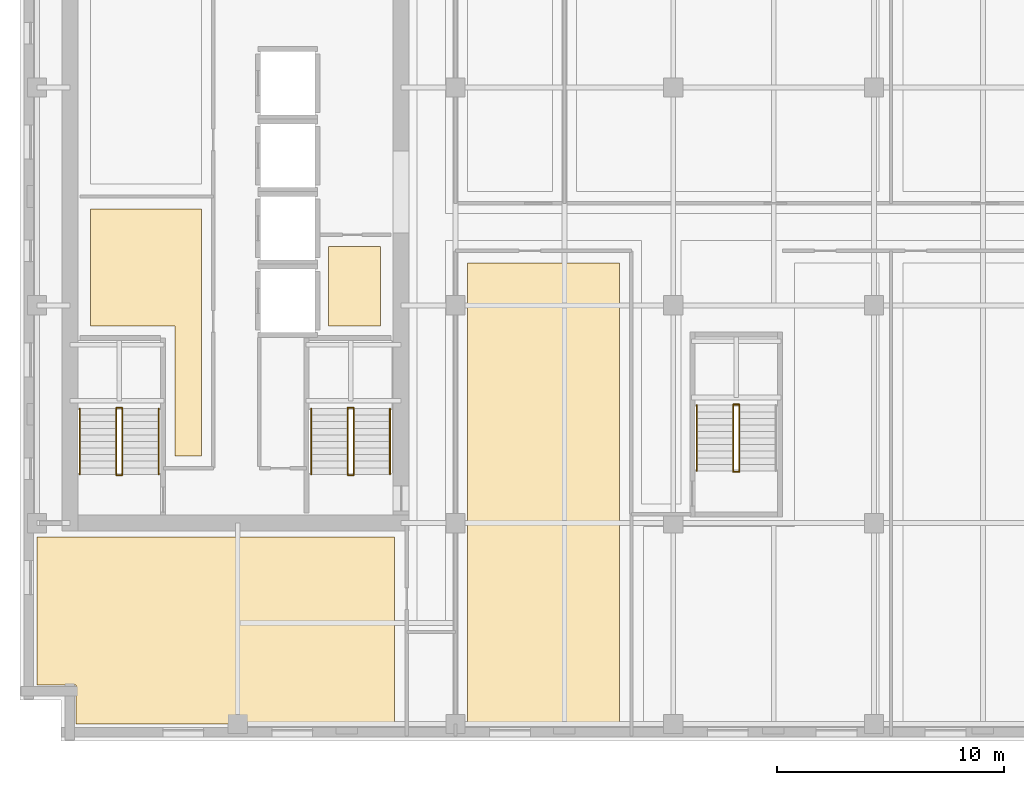
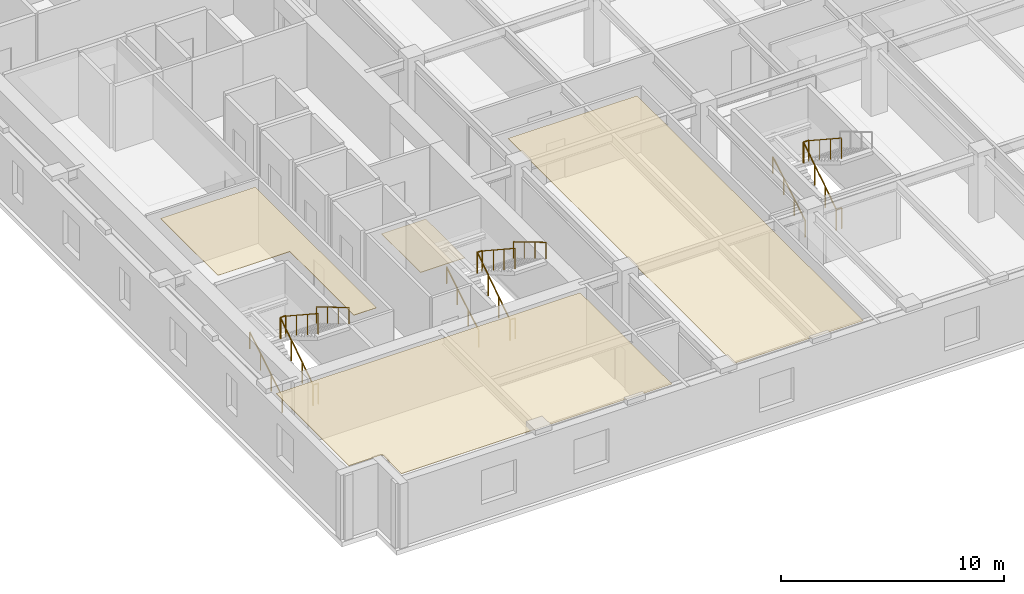
# One storey, part 8 of 12: 17 railings, 4 coverings.
"""IFC4 building model written with IfcOpenShell, lengths in metres."""

import ifcopenshell
import ifcopenshell.guid

model = None  # the IFC model being written
_history = None  # IfcOwnerHistory: only IFC2X3 demands one
_inside = {}  # id of a spatial element -> (the spatial element, [elements in it])
_under = {}  # id of a project, library or spatial element -> (it, [spatial elements below it])
_declared = {}  # id of a project -> (the project, [libraries it declares])
_typed = {}  # id of a type object -> (the type object, [elements of that type])
_made_of = {}  # id of a material, layer set ... -> (it, [elements and type objects made of it])


def new_model(schema):
    """Start an empty IFC model of exactly this schema.

    Asked for "IFC4X3", IfcOpenShell would pick the latest addendum, in which some entities
    have other attributes; the version numbers below select the first issue.
    IFC2X3 requires an IfcOwnerHistory on every rooted entity: one is made here for all.
    """
    global model, _history
    if schema == "IFC4X3":
        model = ifcopenshell.file(schema_version=(4, 3, 0, 0))
    else:
        model = ifcopenshell.file(schema=schema)
    _inside.clear()
    _under.clear()
    _declared.clear()
    _typed.clear()
    _made_of.clear()
    _history = None
    if model.schema == "IFC2X3":
        org = make("IfcOrganization", Name="unknown")
        user = make(
            "IfcPersonAndOrganization",
            ThePerson=make("IfcPerson", FamilyName="unknown"),
            TheOrganization=org,
        )
        app = make(
            "IfcApplication",
            ApplicationDeveloper=org,
            Version="unknown",
            ApplicationFullName="unknown",
            ApplicationIdentifier="unknown",
        )
        _history = make(
            "IfcOwnerHistory",
            OwningUser=user,
            OwningApplication=app,
            ChangeAction="ADDED",
            CreationDate=0,
        )
    return model


def make(cls, **values):
    """One entity of the class cls with the attributes given. An attribute that is None is left unset."""
    return model.create_entity(
        cls, **{name: value for name, value in values.items() if value is not None}
    )


def rooted(cls, **values):
    """An entity with a GlobalId (a new one), such as an element, a storey or a relation."""
    return make(cls, GlobalId=ifcopenshell.guid.new(), OwnerHistory=_history, **values)


def si_unit(unit_type, name, prefix=None):
    """IfcSIUnit, for example si_unit("LENGTHUNIT", "METRE", prefix="MILLI")."""
    return make("IfcSIUnit", UnitType=unit_type, Prefix=prefix, Name=name)


def assignment(units):
    """IfcUnitAssignment: the units of a project."""
    return None if units is None else make("IfcUnitAssignment", Units=units)


def point(xyz):
    """IfcCartesianPoint."""
    return None if xyz is None else make("IfcCartesianPoint", Coordinates=xyz)


def direction(xyz):
    """IfcDirection."""
    return None if xyz is None else make("IfcDirection", DirectionRatios=xyz)


def frame(location, z_axis=None, x_axis=None):
    """IfcAxis2Placement3D, a coordinate frame: its origin and axes. An axis left out is left unset."""
    return make(
        "IfcAxis2Placement3D",
        Location=point(location),
        Axis=direction(z_axis),
        RefDirection=direction(x_axis),
    )


def frame_2d(location, x_axis=None):
    """IfcAxis2Placement2D, a coordinate frame in the plane: its origin and x axis."""
    return make(
        "IfcAxis2Placement2D", Location=point(location), RefDirection=direction(x_axis)
    )


def origin():
    """The frame at (0, 0, 0) with its axes left unset."""
    return frame((0.0, 0.0, 0.0))


def origin_2d():
    """The frame at (0, 0) in the plane with its x axis left unset."""
    return frame_2d((0.0, 0.0))


def place(relative_to, where):
    """IfcLocalPlacement: puts the frame where relative to a parent placement (None: the world)."""
    return make(
        "IfcLocalPlacement", PlacementRelTo=relative_to, RelativePlacement=where
    )


def context(
    kind, dimensions, precision=None, world=None, true_north=None, identifier=None
):
    """IfcGeometricRepresentationContext, for example the 3D "Model" context."""
    return make(
        "IfcGeometricRepresentationContext",
        ContextIdentifier=identifier,
        ContextType=kind,
        CoordinateSpaceDimension=dimensions,
        Precision=precision,
        WorldCoordinateSystem=world,
        TrueNorth=true_north,
    )


def subcontext(parent, identifier, kind, view, scale=None):
    """IfcGeometricRepresentationSubContext, for example "Body" below "Model"."""
    return make(
        "IfcGeometricRepresentationSubContext",
        ContextIdentifier=identifier,
        ContextType=kind,
        ParentContext=parent,
        TargetScale=scale,
        TargetView=view,
    )


def project(units=None, contexts=None):
    """IfcProject with its units and contexts."""
    return rooted(
        "IfcProject",
        Name="project",
        RepresentationContexts=contexts,
        UnitsInContext=assignment(units),
    )


def spatial(cls, under=None, at=None, **own):
    """A site, building, storey or space (cls), placed at a placement, below another one or the project."""
    s = rooted(cls, ObjectPlacement=at, **own)
    if under is not None:
        _under.setdefault(under.id(), (under, []))[1].append(s)
    return s


def polyline(points):
    """IfcPolyline through the points."""
    return make("IfcPolyline", Points=[point(p) for p in points])


def profile(cls, at=None, kind="AREA", **sizes):
    """A parametric profile (cls). Its sizes go by their IFC names, for example OverallWidth=200.0."""
    return make(cls, ProfileType=kind, Position=at, **sizes)


def circle(**sizes):
    """IfcCircleProfileDef."""
    return profile("IfcCircleProfileDef", **sizes)


def outline(outer, holes=None, kind="AREA"):
    """IfcArbitraryClosedProfileDef: a profile drawn as a closed curve; with holes, ...WithVoids."""
    if holes is None:
        return make("IfcArbitraryClosedProfileDef", ProfileType=kind, OuterCurve=outer)
    return make(
        "IfcArbitraryProfileDefWithVoids",
        ProfileType=kind,
        OuterCurve=outer,
        InnerCurves=holes,
    )


def extrude(swept, where, along, depth):
    """IfcExtrudedAreaSolid: the profile swept, set in the frame where, extruded along a direction by depth."""
    return make(
        "IfcExtrudedAreaSolid",
        SweptArea=swept,
        Position=where,
        ExtrudedDirection=direction(along),
        Depth=depth,
    )


def shape(context_of_items, identifier, shape_type, items):
    """IfcShapeRepresentation: the items that make up one representation, for example the "Body"."""
    return make(
        "IfcShapeRepresentation",
        ContextOfItems=context_of_items,
        RepresentationIdentifier=identifier,
        RepresentationType=shape_type,
        Items=items,
    )


def material(Name=None, Category=None):
    """IfcMaterial."""
    return make("IfcMaterial", Name=Name, Category=Category)


def layer(
    of_material, thickness, ventilated=None, Name=None, Category=None, Priority=None
):
    """IfcMaterialLayer: one layer of a wall or slab, of a material (None: an air gap)."""
    return make(
        "IfcMaterialLayer",
        Material=of_material,
        LayerThickness=thickness,
        IsVentilated=ventilated,
        Name=Name,
        Category=Category,
        Priority=Priority,
    )


def layer_set(layers, Name=None):
    """IfcMaterialLayerSet."""
    return make("IfcMaterialLayerSet", MaterialLayers=layers, LayerSetName=Name)


def made_of(thing, what):
    """Note that an element or type object is made of a material, layer set ...; save() writes the relation."""
    if what is not None:
        _made_of.setdefault(what.id(), (what, []))[1].append(thing)
    return thing


def type_object(cls, material=None, **own):
    """A type object (cls), such as IfcWallType, which elements share."""
    return made_of(rooted(cls, **own), material)


def element(
    cls,
    number,
    at=None,
    inside=None,
    cuts=None,
    type_object=None,
    material=None,
    context=None,
    identifier="Body",
    shape_type=None,
    held_by="IfcProductDefinitionShape",
    body=None,
    shapes=None,
    **own,
):
    """One element of the class cls, such as IfcWall. Its Tag is "e" and its number.

    at: its placement. inside: the storey or other place that contains it. cuts: it is an
    opening in that element (IfcRelVoidsElement). A single representation is given by context,
    identifier, shape_type and body (its items); several are given by shapes. held_by: the class
    of the entity that holds the representations. save() writes the other relations.
    """
    e = rooted(cls, Tag="e%d" % number, ObjectPlacement=at, **own)
    if body is not None:
        shapes = [shape(context, identifier, shape_type, body)]
    if shapes is not None:
        e.Representation = make(held_by, Representations=shapes)
    if inside is not None:
        _inside.setdefault(inside.id(), (inside, []))[1].append(e)
    if cuts is not None:
        rooted(
            "IfcRelVoidsElement", RelatingBuildingElement=cuts, RelatedOpeningElement=e
        )
    if type_object is not None:
        _typed.setdefault(type_object.id(), (type_object, []))[1].append(e)
    return made_of(e, material)


def aggregate(whole, parts):
    """IfcRelAggregates: a whole, such as a stair, and the parts it consists of."""
    return rooted("IfcRelAggregates", RelatingObject=whole, RelatedObjects=parts)


def save(model, path):
    """Write the relations noted so far, then the file.

    IfcRelAggregates (storeys below a building ...), IfcRelContainedInSpatialStructure (elements
    in a storey), IfcRelDefinesByType, IfcRelAssociatesMaterial and IfcRelDeclares: one each for
    every whole, place, type object, material and project.
    """
    for whole, parts in _under.values():
        aggregate(whole, parts)
    for where, things in _inside.values():
        rooted(
            "IfcRelContainedInSpatialStructure",
            RelatedElements=things,
            RelatingStructure=where,
        )
    for kind, things in _typed.values():
        rooted("IfcRelDefinesByType", RelatedObjects=things, RelatingType=kind)
    for what, things in _made_of.values():
        rooted("IfcRelAssociatesMaterial", RelatedObjects=things, RelatingMaterial=what)
    for by, libraries in _declared.values():
        rooted("IfcRelDeclares", RelatingContext=by, RelatedDefinitions=libraries)
    model.write(path)


model = new_model("IFC4")

# Units and contexts
model_context = context("Model", 3, precision=1e-05, world=origin(), true_north=direction((0.0, 1.0)))
body_context = subcontext(model_context, "Body", "Model", "MODEL_VIEW")
ifc_project = project(units=[si_unit("LENGTHUNIT", "METRE"), si_unit("AREAUNIT", "SQUARE_METRE"), si_unit("VOLUMEUNIT", "CUBIC_METRE"), si_unit("PLANEANGLEUNIT", "RADIAN"), si_unit("MASSUNIT", "GRAM", prefix="KILO")], contexts=[model_context])

# Site, building, storey
site_placement = place(None, origin())
site = spatial("IfcSite", under=ifc_project, at=site_placement, CompositionType="ELEMENT")
building_placement = place(site_placement, origin())
building = spatial("IfcBuilding", under=site, at=building_placement, Name="Norrvale University Quadrangle", CompositionType="ELEMENT")
storey_placement = place(building_placement, frame((0.0, 0.0, 199.0)))
storey = spatial("IfcBuildingStorey", under=building, at=storey_placement, Name="L50", CompositionType="ELEMENT", Elevation=199.0)

# Coverings
ifc_material_1 = material(Name="Perforated Acoustic Mineral Ceiling")
ifc_layer_1 = layer(ifc_material_1, 0.02490234375, Name="Perforated Acoustic Mineral Ceiling")
ifc_layer_set_1 = layer_set([ifc_layer_1], Name="Perforated Acoustic Mineral Ceiling")
covering_type_1 = type_object("IfcCoveringType", Name="Covering Acoustic Ceiling 25", PredefinedType="CEILING", material=ifc_layer_set_1)
covering_1_placement = place(storey_placement, frame((0.0, 0.0, 3.514892578125)))
element("IfcCovering", 1, at=covering_1_placement, inside=storey, type_object=covering_type_1, Name="Acoustic Ceiling RM-L50-REC1", PredefinedType="CEILING", context=body_context, shape_type="SweptSolid", body=[
    extrude(outline(polyline([(3.10009765625, 18.300048828125), (3.10009765625, 23.449951171875), (8.0, 23.449951171875), (8.0, 12.550048828125), (6.830078125, 12.550048828125), (6.830078125, 18.300048828125), (3.10009765625, 18.300048828125)])), origin(), (0.0, 0.0, 1.0), 0.025146484375),
])
covering_2_placement = place(storey_placement, frame((0.0, 0.0, 3.514892578125)))
element("IfcCovering", 2, at=covering_2_placement, inside=storey, type_object=covering_type_1, Name="Acoustic Ceiling RM-L50-SW1", PredefinedType="CEILING", context=body_context, shape_type="SweptSolid", body=[
    extrude(outline(polyline([(0.75, 9.0), (16.5, 9.0), (16.5, 0.75), (2.469970703125, 0.75), (2.469970703125, 2.469970703125), (0.75, 2.469970703125), (0.75, 9.0)])), origin(), (0.0, 0.0, 1.0), 0.025146484375),
])
covering_3_placement = place(storey_placement, frame((0.0, 0.0, 3.514892578125)))
element("IfcCovering", 3, at=covering_3_placement, inside=storey, type_object=covering_type_1, Name="Acoustic Ceiling RM-L50-SE1", PredefinedType="CEILING", context=body_context, shape_type="SweptSolid", body=[
    extrude(outline(polyline([(19.72998046875, 21.070068359375), (26.419921875, 21.070068359375), (26.419921875, 0.75), (19.72998046875, 0.75), (19.72998046875, 21.070068359375)])), origin(), (0.0, 0.0, 1.0), 0.025146484375),
])
ifc_material_2 = material(Name="Polished Terrazzo Flooring")
ifc_layer_2 = layer(ifc_material_2, 0.02490234375, Name="Polished Terrazzo Flooring")
ifc_layer_set_2 = layer_set([ifc_layer_2], Name="Polished Terrazzo Flooring")
covering_type_2 = type_object("IfcCoveringType", Name="Covering Terrazzo Floor 30", PredefinedType="FLOORING", material=ifc_layer_set_2)
covering_4_placement = place(storey_placement, origin())
element("IfcCovering", 4, at=covering_4_placement, inside=storey, type_object=covering_type_2, Name="Terrazzo Flooring RM-L50-JAN", PredefinedType="FLOORING", context=body_context, shape_type="SweptSolid", body=[
    extrude(outline(polyline([(13.60009765625, 18.300048828125), (13.60009765625, 21.800048828125), (15.89990234375, 21.800048828125), (15.89990234375, 18.300048828125), (13.60009765625, 18.300048828125)])), origin(), (0.0, 0.0, 1.0), 0.02490234375),
])

# Railings
ifc_material_3 = material(Name="Steel 350W Painted Balustrade", Category="steel")
railing_type_1 = type_object("IfcRailingType", Name="Railing Stair Guard 1100", PredefinedType="GUARDRAIL", material=ifc_material_3)
for number, where, name in (
    (5, (4.239990234375, 11.719970703125, 0.0), "Stair Floor Well Guard ST-01 L50"),
    (6, (4.239990234375, 14.679931640625, 1.89990234375), "Stair Mid-Landing Slot Guard ST-01 L50"),
):
    element("IfcRailing", number, at=place(storey_placement, frame(where)), inside=storey, type_object=railing_type_1, Name=name, PredefinedType="GUARDRAIL", context=body_context, shape_type="SweptSolid", body=[
        extrude(circle(Radius=0.02392578125, at=origin_2d()), frame((0.0, 0.0, 1.1259765625), z_axis=(1.0, 0.0, 0.0), x_axis=(0.0, 1.0, 0.0)), (0.0, 0.0, 1.0), 0.27001953125),
        extrude(circle(Radius=0.02099609375, at=origin_2d()), origin(), (0.0, 0.0, 1.0), 1.101806640625),
        extrude(circle(Radius=0.02099609375, at=origin_2d()), frame((0.27001953125, 0.0, 0.0)), (0.0, 0.0, 1.0), 1.101806640625),
    ])
railing_1_placement = place(storey_placement, frame((4.239990234375, 11.75, 0.0)))
element("IfcRailing", 7, at=railing_1_placement, inside=storey, type_object=railing_type_1, Name="Stair Lower Flight Inner Guard ST-01 L50", PredefinedType="GUARDRAIL", context=body_context, shape_type="SweptSolid", body=[
    extrude(circle(Radius=0.02392578125, at=origin_2d()), frame((0.0, 0.0, 1.1259765625), z_axis=(0.0, 0.836465582154, 0.548019461216), x_axis=(-1.0, 0.0, 0.0)), (0.0, 0.0, 1.0), 3.466796875),
    extrude(circle(Radius=0.02099609375, at=origin_2d()), origin(), (0.0, 0.0, 1.0), 1.101806640625),
    extrude(circle(Radius=0.02099609375, at=origin_2d()), frame((0.0, 0.966552734375, 0.63330078125)), (0.0, 0.0, 1.0), 1.101806640625),
    extrude(circle(Radius=0.02099609375, at=origin_2d()), frame((0.0, 1.933349609375, 1.2666015625)), (0.0, 0.0, 1.0), 1.101806640625),
    extrude(circle(Radius=0.02099609375, at=origin_2d()), frame((0.0, 2.89990234375, 1.89990234375)), (0.0, 0.0, 1.0), 1.101806640625),
])
railing_2_placement = place(storey_placement, frame((4.510009765625, 14.64990234375, 1.89990234375)))
element("IfcRailing", 8, at=railing_2_placement, inside=storey, type_object=railing_type_1, Name="Stair Upper Flight Inner Guard ST-01 L50", PredefinedType="GUARDRAIL", context=body_context, shape_type="SweptSolid", body=[
    extrude(circle(Radius=0.02392578125, at=origin_2d()), frame((0.0, 0.0, 1.1259765625), z_axis=(0.0, -0.836433300813, 0.548068730445), x_axis=(1.0, 0.0, 0.0)), (0.0, 0.0, 1.0), 3.467041015625),
    extrude(circle(Radius=0.02099609375, at=origin_2d()), origin(), (0.0, 0.0, 1.0), 1.101806640625),
    extrude(circle(Radius=0.02099609375, at=origin_2d()), frame((0.0, -0.966552734375, 0.63330078125)), (0.0, 0.0, 1.0), 1.101806640625),
    extrude(circle(Radius=0.02099609375, at=origin_2d()), frame((0.0, -1.933349609375, 1.266845703125)), (0.0, 0.0, 1.0), 1.101806640625),
    extrude(circle(Radius=0.02099609375, at=origin_2d()), frame((0.0, -2.89990234375, 1.900146484375)), (0.0, 0.0, 1.0), 1.101806640625),
])
for number, where, name in (
    (9, (14.43994140625, 11.719970703125, 0.0), "Stair Floor Well Guard ST-03 L50"),
    (10, (14.43994140625, 14.679931640625, 1.89990234375), "Stair Mid-Landing Slot Guard ST-03 L50"),
):
    element("IfcRailing", number, at=place(storey_placement, frame(where)), inside=storey, type_object=railing_type_1, Name=name, PredefinedType="GUARDRAIL", context=body_context, shape_type="SweptSolid", body=[
        extrude(circle(Radius=0.02392578125, at=origin_2d()), frame((0.0, 0.0, 1.1259765625), z_axis=(1.0, 0.0, 0.0), x_axis=(0.0, 1.0, 0.0)), (0.0, 0.0, 1.0), 0.27001953125),
        extrude(circle(Radius=0.02099609375, at=origin_2d()), origin(), (0.0, 0.0, 1.0), 1.101806640625),
        extrude(circle(Radius=0.02099609375, at=origin_2d()), frame((0.27001953125, 0.0, 0.0)), (0.0, 0.0, 1.0), 1.101806640625),
    ])
railing_3_placement = place(storey_placement, frame((14.43994140625, 11.75, 0.0)))
element("IfcRailing", 11, at=railing_3_placement, inside=storey, type_object=railing_type_1, Name="Stair Lower Flight Inner Guard ST-03 L50", PredefinedType="GUARDRAIL", context=body_context, shape_type="SweptSolid", body=[
    extrude(circle(Radius=0.02392578125, at=origin_2d()), frame((0.0, 0.0, 1.1259765625), z_axis=(0.0, 0.836465582154, 0.548019461216), x_axis=(-1.0, 0.0, 0.0)), (0.0, 0.0, 1.0), 3.466796875),
    extrude(circle(Radius=0.02099609375, at=origin_2d()), origin(), (0.0, 0.0, 1.0), 1.101806640625),
    extrude(circle(Radius=0.02099609375, at=origin_2d()), frame((0.0, 0.966552734375, 0.63330078125)), (0.0, 0.0, 1.0), 1.101806640625),
    extrude(circle(Radius=0.02099609375, at=origin_2d()), frame((0.0, 1.933349609375, 1.2666015625)), (0.0, 0.0, 1.0), 1.101806640625),
    extrude(circle(Radius=0.02099609375, at=origin_2d()), frame((0.0, 2.89990234375, 1.89990234375)), (0.0, 0.0, 1.0), 1.101806640625),
])
railing_4_placement = place(storey_placement, frame((14.7099609375, 14.64990234375, 1.89990234375)))
element("IfcRailing", 12, at=railing_4_placement, inside=storey, type_object=railing_type_1, Name="Stair Upper Flight Inner Guard ST-03 L50", PredefinedType="GUARDRAIL", context=body_context, shape_type="SweptSolid", body=[
    extrude(circle(Radius=0.02392578125, at=origin_2d()), frame((0.0, 0.0, 1.1259765625), z_axis=(0.0, -0.836433300813, 0.548068730445), x_axis=(1.0, 0.0, 0.0)), (0.0, 0.0, 1.0), 3.467041015625),
    extrude(circle(Radius=0.02099609375, at=origin_2d()), origin(), (0.0, 0.0, 1.0), 1.101806640625),
    extrude(circle(Radius=0.02099609375, at=origin_2d()), frame((0.0, -0.966552734375, 0.63330078125)), (0.0, 0.0, 1.0), 1.101806640625),
    extrude(circle(Radius=0.02099609375, at=origin_2d()), frame((0.0, -1.933349609375, 1.266845703125)), (0.0, 0.0, 1.0), 1.101806640625),
    extrude(circle(Radius=0.02099609375, at=origin_2d()), frame((0.0, -2.89990234375, 1.900146484375)), (0.0, 0.0, 1.0), 1.101806640625),
])
for number, where, name in (
    (13, (31.43994140625, 11.8701171875, 0.0), "Stair Floor Well Guard ST-04 L50"),
    (14, (31.43994140625, 14.830078125, 1.89990234375), "Stair Mid-Landing Slot Guard ST-04 L50"),
):
    element("IfcRailing", number, at=place(storey_placement, frame(where)), inside=storey, type_object=railing_type_1, Name=name, PredefinedType="GUARDRAIL", context=body_context, shape_type="SweptSolid", body=[
        extrude(circle(Radius=0.02392578125, at=origin_2d()), frame((0.0, 0.0, 1.1259765625), z_axis=(1.0, 0.0, 0.0), x_axis=(0.0, 1.0, 0.0)), (0.0, 0.0, 1.0), 0.27001953125),
        extrude(circle(Radius=0.02099609375, at=origin_2d()), origin(), (0.0, 0.0, 1.0), 1.101806640625),
        extrude(circle(Radius=0.02099609375, at=origin_2d()), frame((0.27001953125, 0.0, 0.0)), (0.0, 0.0, 1.0), 1.101806640625),
    ])
railing_5_placement = place(storey_placement, frame((31.43994140625, 11.89990234375, 0.0)))
element("IfcRailing", 15, at=railing_5_placement, inside=storey, type_object=railing_type_1, Name="Stair Lower Flight Inner Guard ST-04 L50", PredefinedType="GUARDRAIL", context=body_context, shape_type="SweptSolid", body=[
    extrude(circle(Radius=0.02392578125, at=origin_2d()), frame((0.0, 0.0, 1.1259765625), z_axis=(0.0, 0.836486729621, 0.547987181573), x_axis=(-1.0, 0.0, 0.0)), (0.0, 0.0, 1.0), 3.467041015625),
    extrude(circle(Radius=0.02099609375, at=origin_2d()), origin(), (0.0, 0.0, 1.0), 1.101806640625),
    extrude(circle(Radius=0.02099609375, at=origin_2d()), frame((0.0, 0.966796875, 0.63330078125)), (0.0, 0.0, 1.0), 1.101806640625),
    extrude(circle(Radius=0.02099609375, at=origin_2d()), frame((0.0, 1.933349609375, 1.2666015625)), (0.0, 0.0, 1.0), 1.101806640625),
    extrude(circle(Radius=0.02099609375, at=origin_2d()), frame((0.0, 2.900146484375, 1.89990234375)), (0.0, 0.0, 1.0), 1.101806640625),
])
railing_6_placement = place(storey_placement, frame((31.7099609375, 14.800048828125, 1.89990234375)))
element("IfcRailing", 16, at=railing_6_placement, inside=storey, type_object=railing_type_1, Name="Stair Upper Flight Inner Guard ST-04 L50", PredefinedType="GUARDRAIL", context=body_context, shape_type="SweptSolid", body=[
    extrude(circle(Radius=0.02392578125, at=origin_2d()), frame((0.0, 0.0, 1.1259765625), z_axis=(0.0, -0.836454451266, 0.548036450392), x_axis=(1.0, 0.0, 0.0)), (0.0, 0.0, 1.0), 3.46728515625),
    extrude(circle(Radius=0.02099609375, at=origin_2d()), origin(), (0.0, 0.0, 1.0), 1.101806640625),
    extrude(circle(Radius=0.02099609375, at=origin_2d()), frame((0.0, -0.966796875, 0.63330078125)), (0.0, 0.0, 1.0), 1.101806640625),
    extrude(circle(Radius=0.02099609375, at=origin_2d()), frame((0.0, -1.933349609375, 1.266845703125)), (0.0, 0.0, 1.0), 1.101806640625),
    extrude(circle(Radius=0.02099609375, at=origin_2d()), frame((0.0, -2.900146484375, 1.900146484375)), (0.0, 0.0, 1.0), 1.101806640625),
])
ifc_material_4 = material(Name="Stainless Steel 316L Handrail", Category="steel")
railing_type_2 = type_object("IfcRailingType", Name="Railing Stair Handrail 920", PredefinedType="HANDRAIL", material=ifc_material_4)
railing_7_placement = place(storey_placement, frame((2.639892578125, 11.75, 0.172607421875)))
element("IfcRailing", 17, at=railing_7_placement, inside=storey, type_object=railing_type_2, Name="Stair Lower Flight Handrail ST-01 L50", PredefinedType="HANDRAIL", context=body_context, shape_type="SweptSolid", body=[
    extrude(circle(Radius=0.02392578125, at=origin_2d()), frame((0.0, 0.0, 0.89599609375), z_axis=(0.0, 0.859141464434, 0.511738159696), x_axis=(-1.0, 0.0, 0.0)), (0.0, 0.0, 1.0), 3.375244140625),
    extrude(circle(Radius=0.02099609375, at=origin_2d()), origin(), (0.0, 0.0, 1.0), 0.871826171875),
    extrude(circle(Radius=0.02099609375, at=origin_2d()), frame((0.0, 0.966552734375, 0.57568359375)), (0.0, 0.0, 1.0), 0.871826171875),
    extrude(circle(Radius=0.02099609375, at=origin_2d()), frame((0.0, 1.933349609375, 1.151611328125)), (0.0, 0.0, 1.0), 0.871826171875),
    extrude(circle(Radius=0.02099609375, at=origin_2d()), frame((0.0, 2.89990234375, 1.727294921875)), (0.0, 0.0, 1.0), 0.871826171875),
])
railing_8_placement = place(storey_placement, frame((6.110107421875, 14.64990234375, 2.07275390625)))
element("IfcRailing", 18, at=railing_8_placement, inside=storey, type_object=railing_type_2, Name="Stair Upper Flight Handrail ST-01 L50", PredefinedType="HANDRAIL", context=body_context, shape_type="SweptSolid", body=[
    extrude(circle(Radius=0.02392578125, at=origin_2d()), frame((0.0, 0.0, 0.89599609375), z_axis=(0.0, -0.859141464434, 0.511738159696), x_axis=(1.0, 0.0, 0.0)), (0.0, 0.0, 1.0), 3.375244140625),
    extrude(circle(Radius=0.02099609375, at=origin_2d()), origin(), (0.0, 0.0, 1.0), 0.871826171875),
    extrude(circle(Radius=0.02099609375, at=origin_2d()), frame((0.0, -0.966552734375, 0.57568359375)), (0.0, 0.0, 1.0), 0.871826171875),
    extrude(circle(Radius=0.02099609375, at=origin_2d()), frame((0.0, -1.933349609375, 1.151611328125)), (0.0, 0.0, 1.0), 0.871826171875),
    extrude(circle(Radius=0.02099609375, at=origin_2d()), frame((0.0, -2.89990234375, 1.727294921875)), (0.0, 0.0, 1.0), 0.871826171875),
])
railing_9_placement = place(storey_placement, frame((12.840087890625, 11.75, 0.172607421875)))
element("IfcRailing", 19, at=railing_9_placement, inside=storey, type_object=railing_type_2, Name="Stair Lower Flight Handrail ST-03 L50", PredefinedType="HANDRAIL", context=body_context, shape_type="SweptSolid", body=[
    extrude(circle(Radius=0.02392578125, at=origin_2d()), frame((0.0, 0.0, 0.89599609375), z_axis=(0.0, 0.859141464434, 0.511738159696), x_axis=(-1.0, 0.0, 0.0)), (0.0, 0.0, 1.0), 3.375244140625),
    extrude(circle(Radius=0.02099609375, at=origin_2d()), origin(), (0.0, 0.0, 1.0), 0.871826171875),
    extrude(circle(Radius=0.02099609375, at=origin_2d()), frame((0.0, 0.966552734375, 0.57568359375)), (0.0, 0.0, 1.0), 0.871826171875),
    extrude(circle(Radius=0.02099609375, at=origin_2d()), frame((0.0, 1.933349609375, 1.151611328125)), (0.0, 0.0, 1.0), 0.871826171875),
    extrude(circle(Radius=0.02099609375, at=origin_2d()), frame((0.0, 2.89990234375, 1.727294921875)), (0.0, 0.0, 1.0), 0.871826171875),
])
railing_10_placement = place(storey_placement, frame((16.31005859375, 14.64990234375, 2.07275390625)))
element("IfcRailing", 20, at=railing_10_placement, inside=storey, type_object=railing_type_2, Name="Stair Upper Flight Handrail ST-03 L50", PredefinedType="HANDRAIL", context=body_context, shape_type="SweptSolid", body=[
    extrude(circle(Radius=0.02392578125, at=origin_2d()), frame((0.0, 0.0, 0.89599609375), z_axis=(0.0, -0.859141464434, 0.511738159696), x_axis=(1.0, 0.0, 0.0)), (0.0, 0.0, 1.0), 3.375244140625),
    extrude(circle(Radius=0.02099609375, at=origin_2d()), origin(), (0.0, 0.0, 1.0), 0.871826171875),
    extrude(circle(Radius=0.02099609375, at=origin_2d()), frame((0.0, -0.966552734375, 0.57568359375)), (0.0, 0.0, 1.0), 0.871826171875),
    extrude(circle(Radius=0.02099609375, at=origin_2d()), frame((0.0, -1.933349609375, 1.151611328125)), (0.0, 0.0, 1.0), 0.871826171875),
    extrude(circle(Radius=0.02099609375, at=origin_2d()), frame((0.0, -2.89990234375, 1.727294921875)), (0.0, 0.0, 1.0), 0.871826171875),
])
railing_11_placement = place(storey_placement, frame((29.840087890625, 11.89990234375, 0.172607421875)))
element("IfcRailing", 21, at=railing_11_placement, inside=storey, type_object=railing_type_2, Name="Stair Lower Flight Handrail ST-04 L50", PredefinedType="HANDRAIL", context=body_context, shape_type="SweptSolid", body=[
    extrude(circle(Radius=0.02392578125, at=origin_2d()), frame((0.0, 0.0, 0.89599609375), z_axis=(0.0, 0.859160404282, 0.51170636083), x_axis=(-1.0, 0.0, 0.0)), (0.0, 0.0, 1.0), 3.37548828125),
    extrude(circle(Radius=0.02099609375, at=origin_2d()), origin(), (0.0, 0.0, 1.0), 0.871826171875),
    extrude(circle(Radius=0.02099609375, at=origin_2d()), frame((0.0, 0.966796875, 0.57568359375)), (0.0, 0.0, 1.0), 0.871826171875),
    extrude(circle(Radius=0.02099609375, at=origin_2d()), frame((0.0, 1.933349609375, 1.151611328125)), (0.0, 0.0, 1.0), 0.871826171875),
    extrude(circle(Radius=0.02099609375, at=origin_2d()), frame((0.0, 2.900146484375, 1.727294921875)), (0.0, 0.0, 1.0), 0.871826171875),
])

save(model, "model.ifc")
